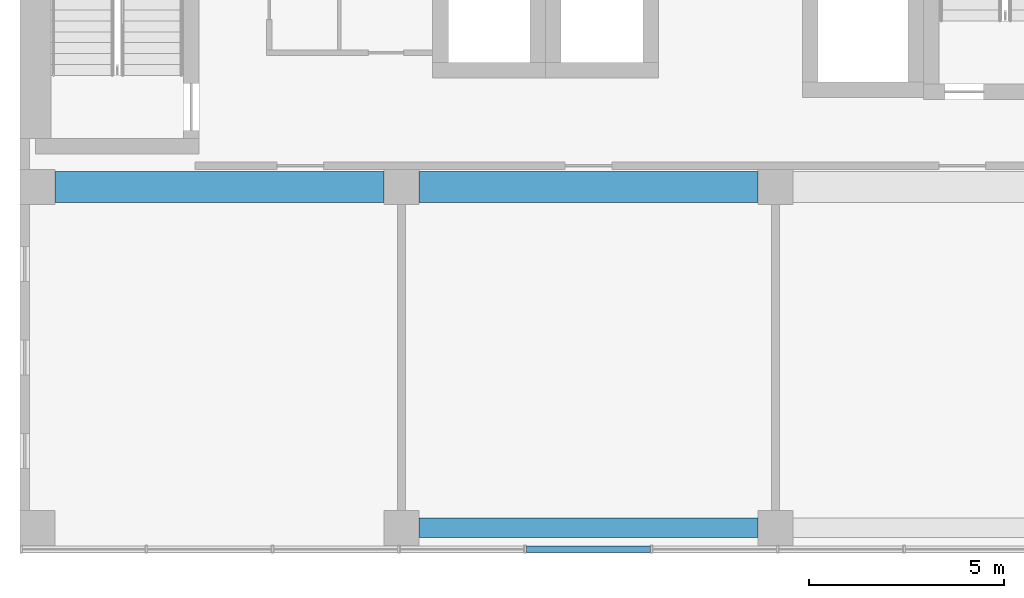
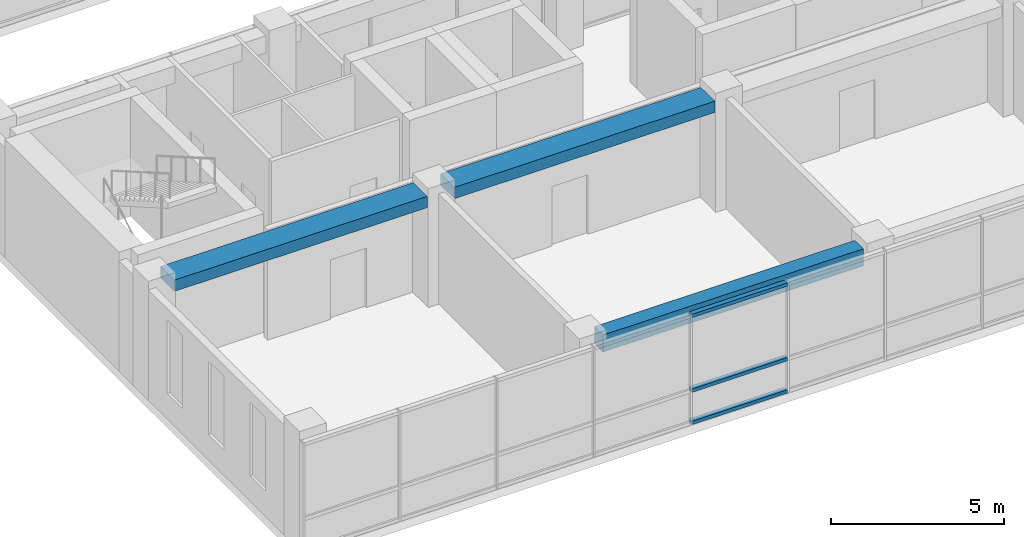
# One storey, part 3 of 36: 3 beams, 3 members, 1 element without a shape of its own.
"""IFC4 building model written with IfcOpenShell, lengths in metres."""

from ifc_helpers import new_model, si_unit, direction, frame, origin, origin_2d, place, context, subcontext, project, spatial, rectangle, hollow_rectangle, extrude, material, layer, layer_set, material_profile, profile_set, type_object, element, aggregate, save


model = new_model("IFC4")

# Units and contexts
model_context = context("Model", 3, precision=1e-05, world=origin(), true_north=direction((0.0, 1.0)))
body_context = subcontext(model_context, "Body", "Model", "MODEL_VIEW")
ifc_project = project(units=[si_unit("LENGTHUNIT", "METRE"), si_unit("AREAUNIT", "SQUARE_METRE"), si_unit("VOLUMEUNIT", "CUBIC_METRE"), si_unit("PLANEANGLEUNIT", "RADIAN"), si_unit("MASSUNIT", "GRAM", prefix="KILO")], contexts=[model_context])

# Site, building, storey
site_placement = place(None, origin())
site = spatial("IfcSite", under=ifc_project, at=site_placement, CompositionType="ELEMENT")
building_placement = place(site_placement, origin())
building = spatial("IfcBuilding", under=site, at=building_placement, Name="Nzadi Deep Aquarium and Research Tower", CompositionType="ELEMENT")
storey_placement = place(building_placement, frame((0.0, 0.0, 36.10009765625)))
storey = spatial("IfcBuildingStorey", under=building, at=storey_placement, Name="L06", CompositionType="ELEMENT", Elevation=36.10009765625)

# Beams
ifc_material_1 = material(Name="Concrete C35/45", Category="concrete")
ifc_material_profile_1 = material_profile(ifc_material_1, rectangle(XDim=0.5, YDim=0.60009765625, at=origin_2d()))
ifc_profile_set_1 = profile_set([ifc_material_profile_1], Name="Concrete C35/45")
beam_type_1 = type_object("IfcBeamType", Name="RC 500x600", PredefinedType="BEAM", material=ifc_profile_set_1)
beam_1_placement = place(storey_placement, frame((10.050048828125, 0.449951171875, 3.599853515625), z_axis=(1.0, 0.0, 0.0), x_axis=(0.0, 1.0, 0.0)))
element("IfcBeam", 1, at=beam_1_placement, inside=storey, type_object=beam_type_1, Name="B-Z1-L06-L1-2", PredefinedType="BEAM", context=body_context, shape_type="SweptSolid", body=[
    extrude(rectangle(XDim=0.5, YDim=0.60009765625, at=origin_2d()), origin(), (0.0, 0.0, 1.0), 8.699951171875),
])
ifc_material_2 = material(Name="Concrete C35/45", Category="concrete")
ifc_material_profile_2 = material_profile(ifc_material_2, rectangle(XDim=0.800048828125, YDim=0.39990234375, at=origin_2d()))
ifc_profile_set_2 = profile_set([ifc_material_profile_2], Name="Concrete C35/45")
beam_type_2 = type_object("IfcBeamType", Name="RC 800x400", PredefinedType="BEAM", material=ifc_profile_set_2)
beam_2_placement = place(storey_placement, frame((0.699951171875, 9.199951171875, 3.699951171875), z_axis=(1.0, 0.0, 0.0), x_axis=(0.0, 1.0, 0.0)))
element("IfcBeam", 2, at=beam_2_placement, inside=storey, type_object=beam_type_2, Name="B-Z1-L06-L2-1", PredefinedType="BEAM", context=body_context, shape_type="SweptSolid", body=[
    extrude(rectangle(XDim=0.800048828125, YDim=0.39990234375, at=origin_2d()), origin(), (0.0, 0.0, 1.0), 8.449951171875),
])
beam_3_placement = place(storey_placement, frame((10.050048828125, 9.199951171875, 3.699951171875), z_axis=(1.0, 0.0, 0.0), x_axis=(0.0, 1.0, 0.0)))
element("IfcBeam", 3, at=beam_3_placement, inside=storey, type_object=beam_type_2, Name="B-Z1-L06-L2-2", PredefinedType="BEAM", context=body_context, shape_type="SweptSolid", body=[
    extrude(rectangle(XDim=0.800048828125, YDim=0.39990234375, at=origin_2d()), origin(), (0.0, 0.0, 1.0), 8.699951171875),
])

# Curtain wall, members
ifc_material_3 = material(Name="Aluminium unitised frame", Category="aluminium")
ifc_layer = layer(ifc_material_3, 0.199951171875)
ifc_layer_set = layer_set([ifc_layer], Name="Aluminium unitised frame")
curtain_wall_type = type_object("IfcCurtainWallType", Name="Curtain wall Unitised 200", PredefinedType="NOTDEFINED", material=ifc_layer_set)
curtain_wall_placement = place(storey_placement, origin())
curtain_wall = element("IfcCurtainWall", 4, at=curtain_wall_placement, inside=storey, type_object=curtain_wall_type, Name="Unitised curtain wall blade A south L06", PredefinedType="NOTDEFINED")
ifc_material_4 = material(Name="Aluminium unitised frame", Category="aluminium")
ifc_material_profile_3 = material_profile(ifc_material_4, hollow_rectangle(XDim=0.159912109375, YDim=0.1201171875, WallThickness=0.0048828125, at=origin_2d()))
ifc_profile_set_3 = profile_set([ifc_material_profile_3], Name="Aluminium unitised frame")
member_type = type_object("IfcMemberType", Name="Transom 120x160 Unitised", PredefinedType="MULLION", material=ifc_profile_set_3)
member_1_placement = place(storey_placement, frame((12.80322265625, -0.10009765625, 0.059814453125), z_axis=(1.0, 0.0, 0.0), x_axis=(0.0, 1.0, 0.0)))
member_1 = element("IfcMember", 5, at=member_1_placement, type_object=member_type, Name="CW008 transom 5.1", PredefinedType="MULLION", context=body_context, shape_type="SweptSolid", body=[
    extrude(hollow_rectangle(XDim=0.159912109375, YDim=0.1201171875, WallThickness=0.0048828125, at=origin_2d()), origin(), (0.0, 0.0, 1.0), 3.183349609375),
])
member_2_placement = place(storey_placement, frame((12.80322265625, -0.10009765625, 1.199951171875), z_axis=(1.0, 0.0, 0.0), x_axis=(0.0, 1.0, 0.0)))
member_2 = element("IfcMember", 6, at=member_2_placement, type_object=member_type, Name="CW008 transom 5.2", PredefinedType="MULLION", context=body_context, shape_type="SweptSolid", body=[
    extrude(hollow_rectangle(XDim=0.159912109375, YDim=0.1201171875, WallThickness=0.0048828125, at=origin_2d()), origin(), (0.0, 0.0, 1.0), 3.183349609375),
])
member_3_placement = place(storey_placement, frame((12.80322265625, -0.10009765625, 3.83984375), z_axis=(1.0, 0.0, 0.0), x_axis=(0.0, 1.0, 0.0)))
member_3 = element("IfcMember", 7, at=member_3_placement, type_object=member_type, Name="CW008 transom 5.3", PredefinedType="MULLION", context=body_context, shape_type="SweptSolid", body=[
    extrude(hollow_rectangle(XDim=0.159912109375, YDim=0.1201171875, WallThickness=0.0048828125, at=origin_2d()), origin(), (0.0, 0.0, 1.0), 3.183349609375),
])
aggregate(curtain_wall, [member_1, member_2, member_3])

save(model, "model.ifc")
